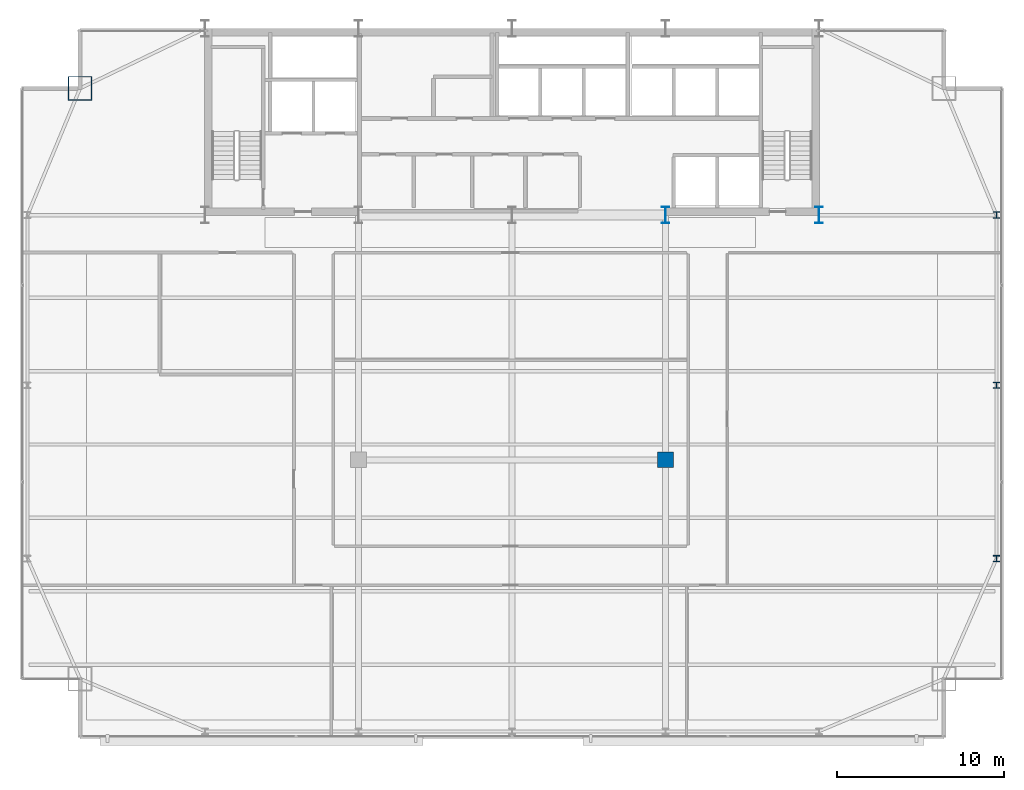
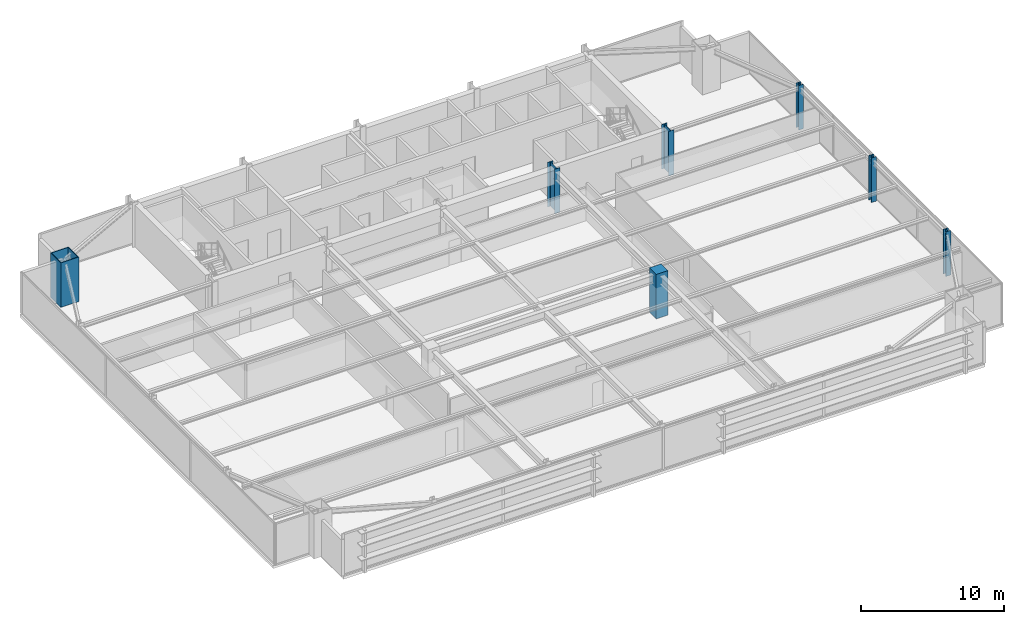
# One storey, part 2 of 30: 7 columns.
"""IFC4 building model written with IfcOpenShell, lengths in metres."""

import ifcopenshell
import ifcopenshell.guid

model = None  # the IFC model being written
_history = None  # IfcOwnerHistory: only IFC2X3 demands one
_inside = {}  # id of a spatial element -> (the spatial element, [elements in it])
_under = {}  # id of a project, library or spatial element -> (it, [spatial elements below it])
_declared = {}  # id of a project -> (the project, [libraries it declares])
_typed = {}  # id of a type object -> (the type object, [elements of that type])
_made_of = {}  # id of a material, layer set ... -> (it, [elements and type objects made of it])


def new_model(schema):
    """Start an empty IFC model of exactly this schema.

    Asked for "IFC4X3", IfcOpenShell would pick the latest addendum, in which some entities
    have other attributes; the version numbers below select the first issue.
    IFC2X3 requires an IfcOwnerHistory on every rooted entity: one is made here for all.
    """
    global model, _history
    if schema == "IFC4X3":
        model = ifcopenshell.file(schema_version=(4, 3, 0, 0))
    else:
        model = ifcopenshell.file(schema=schema)
    _inside.clear()
    _under.clear()
    _declared.clear()
    _typed.clear()
    _made_of.clear()
    _history = None
    if model.schema == "IFC2X3":
        org = make("IfcOrganization", Name="unknown")
        user = make(
            "IfcPersonAndOrganization",
            ThePerson=make("IfcPerson", FamilyName="unknown"),
            TheOrganization=org,
        )
        app = make(
            "IfcApplication",
            ApplicationDeveloper=org,
            Version="unknown",
            ApplicationFullName="unknown",
            ApplicationIdentifier="unknown",
        )
        _history = make(
            "IfcOwnerHistory",
            OwningUser=user,
            OwningApplication=app,
            ChangeAction="ADDED",
            CreationDate=0,
        )
    return model


def make(cls, **values):
    """One entity of the class cls with the attributes given. An attribute that is None is left unset."""
    return model.create_entity(
        cls, **{name: value for name, value in values.items() if value is not None}
    )


def rooted(cls, **values):
    """An entity with a GlobalId (a new one), such as an element, a storey or a relation."""
    return make(cls, GlobalId=ifcopenshell.guid.new(), OwnerHistory=_history, **values)


def si_unit(unit_type, name, prefix=None):
    """IfcSIUnit, for example si_unit("LENGTHUNIT", "METRE", prefix="MILLI")."""
    return make("IfcSIUnit", UnitType=unit_type, Prefix=prefix, Name=name)


def assignment(units):
    """IfcUnitAssignment: the units of a project."""
    return None if units is None else make("IfcUnitAssignment", Units=units)


def point(xyz):
    """IfcCartesianPoint."""
    return None if xyz is None else make("IfcCartesianPoint", Coordinates=xyz)


def direction(xyz):
    """IfcDirection."""
    return None if xyz is None else make("IfcDirection", DirectionRatios=xyz)


def frame(location, z_axis=None, x_axis=None):
    """IfcAxis2Placement3D, a coordinate frame: its origin and axes. An axis left out is left unset."""
    return make(
        "IfcAxis2Placement3D",
        Location=point(location),
        Axis=direction(z_axis),
        RefDirection=direction(x_axis),
    )


def frame_2d(location, x_axis=None):
    """IfcAxis2Placement2D, a coordinate frame in the plane: its origin and x axis."""
    return make(
        "IfcAxis2Placement2D", Location=point(location), RefDirection=direction(x_axis)
    )


def origin():
    """The frame at (0, 0, 0) with its axes left unset."""
    return frame((0.0, 0.0, 0.0))


def origin_2d():
    """The frame at (0, 0) in the plane with its x axis left unset."""
    return frame_2d((0.0, 0.0))


def place(relative_to, where):
    """IfcLocalPlacement: puts the frame where relative to a parent placement (None: the world)."""
    return make(
        "IfcLocalPlacement", PlacementRelTo=relative_to, RelativePlacement=where
    )


def context(
    kind, dimensions, precision=None, world=None, true_north=None, identifier=None
):
    """IfcGeometricRepresentationContext, for example the 3D "Model" context."""
    return make(
        "IfcGeometricRepresentationContext",
        ContextIdentifier=identifier,
        ContextType=kind,
        CoordinateSpaceDimension=dimensions,
        Precision=precision,
        WorldCoordinateSystem=world,
        TrueNorth=true_north,
    )


def subcontext(parent, identifier, kind, view, scale=None):
    """IfcGeometricRepresentationSubContext, for example "Body" below "Model"."""
    return make(
        "IfcGeometricRepresentationSubContext",
        ContextIdentifier=identifier,
        ContextType=kind,
        ParentContext=parent,
        TargetScale=scale,
        TargetView=view,
    )


def project(units=None, contexts=None):
    """IfcProject with its units and contexts."""
    return rooted(
        "IfcProject",
        Name="project",
        RepresentationContexts=contexts,
        UnitsInContext=assignment(units),
    )


def spatial(cls, under=None, at=None, **own):
    """A site, building, storey or space (cls), placed at a placement, below another one or the project."""
    s = rooted(cls, ObjectPlacement=at, **own)
    if under is not None:
        _under.setdefault(under.id(), (under, []))[1].append(s)
    return s


def profile(cls, at=None, kind="AREA", **sizes):
    """A parametric profile (cls). Its sizes go by their IFC names, for example OverallWidth=200.0."""
    return make(cls, ProfileType=kind, Position=at, **sizes)


def rectangle(**sizes):
    """IfcRectangleProfileDef."""
    return profile("IfcRectangleProfileDef", **sizes)


def hollow_rectangle(**sizes):
    """IfcRectangleHollowProfileDef."""
    return profile("IfcRectangleHollowProfileDef", **sizes)


def i_section(**sizes):
    """IfcIShapeProfileDef."""
    return profile("IfcIShapeProfileDef", **sizes)


def extrude(swept, where, along, depth):
    """IfcExtrudedAreaSolid: the profile swept, set in the frame where, extruded along a direction by depth."""
    return make(
        "IfcExtrudedAreaSolid",
        SweptArea=swept,
        Position=where,
        ExtrudedDirection=direction(along),
        Depth=depth,
    )


def shape(context_of_items, identifier, shape_type, items):
    """IfcShapeRepresentation: the items that make up one representation, for example the "Body"."""
    return make(
        "IfcShapeRepresentation",
        ContextOfItems=context_of_items,
        RepresentationIdentifier=identifier,
        RepresentationType=shape_type,
        Items=items,
    )


def source(mapping_origin, context_of_items, identifier, shape_type, items):
    """IfcRepresentationMap: a shape defined once, which mapped items show again and again."""
    return make(
        "IfcRepresentationMap",
        MappingOrigin=mapping_origin,
        MappedRepresentation=shape(context_of_items, identifier, shape_type, items),
    )


def transform(
    local_origin,
    x_axis=None,
    y_axis=None,
    z_axis=None,
    scale=None,
    scale2=None,
    scale3=None,
    uniform=True,
):
    """IfcCartesianTransformationOperator3D, or its non-uniform kind. x_axis, y_axis, z_axis: its Axis1, 2, 3."""
    if uniform:
        return make(
            "IfcCartesianTransformationOperator3D",
            Axis1=direction(x_axis),
            Axis2=direction(y_axis),
            LocalOrigin=point(local_origin),
            Scale=scale,
            Axis3=direction(z_axis),
        )
    return make(
        "IfcCartesianTransformationOperator3DnonUniform",
        Axis1=direction(x_axis),
        Axis2=direction(y_axis),
        LocalOrigin=point(local_origin),
        Scale=scale,
        Axis3=direction(z_axis),
        Scale2=scale2,
        Scale3=scale3,
    )


def mapped(mapping_source, mapping_target):
    """IfcMappedItem: shows the shape of a source again, moved by a transform."""
    return make(
        "IfcMappedItem", MappingSource=mapping_source, MappingTarget=mapping_target
    )


def material(Name=None, Category=None):
    """IfcMaterial."""
    return make("IfcMaterial", Name=Name, Category=Category)


def material_profile(
    of_material, cross_section, Name=None, Category=None, Priority=None
):
    """IfcMaterialProfile: a cross section and its material."""
    return make(
        "IfcMaterialProfile",
        Name=Name,
        Material=of_material,
        Profile=cross_section,
        Priority=Priority,
        Category=Category,
    )


def profile_set(profiles, Name=None, composite=None):
    """IfcMaterialProfileSet."""
    return make(
        "IfcMaterialProfileSet",
        Name=Name,
        MaterialProfiles=profiles,
        CompositeProfile=composite,
    )


def made_of(thing, what):
    """Note that an element or type object is made of a material, layer set ...; save() writes the relation."""
    if what is not None:
        _made_of.setdefault(what.id(), (what, []))[1].append(thing)
    return thing


def type_object(cls, material=None, **own):
    """A type object (cls), such as IfcWallType, which elements share."""
    return made_of(rooted(cls, **own), material)


def type_shapes(of_type, sources):
    """Give a type object the sources (RepresentationMaps) that its elements show as mapped items."""
    of_type.RepresentationMaps = sources


def element(
    cls,
    number,
    at=None,
    inside=None,
    cuts=None,
    type_object=None,
    material=None,
    context=None,
    identifier="Body",
    shape_type=None,
    held_by="IfcProductDefinitionShape",
    body=None,
    shapes=None,
    **own,
):
    """One element of the class cls, such as IfcWall. Its Tag is "e" and its number.

    at: its placement. inside: the storey or other place that contains it. cuts: it is an
    opening in that element (IfcRelVoidsElement). A single representation is given by context,
    identifier, shape_type and body (its items); several are given by shapes. held_by: the class
    of the entity that holds the representations. save() writes the other relations.
    """
    e = rooted(cls, Tag="e%d" % number, ObjectPlacement=at, **own)
    if body is not None:
        shapes = [shape(context, identifier, shape_type, body)]
    if shapes is not None:
        e.Representation = make(held_by, Representations=shapes)
    if inside is not None:
        _inside.setdefault(inside.id(), (inside, []))[1].append(e)
    if cuts is not None:
        rooted(
            "IfcRelVoidsElement", RelatingBuildingElement=cuts, RelatedOpeningElement=e
        )
    if type_object is not None:
        _typed.setdefault(type_object.id(), (type_object, []))[1].append(e)
    return made_of(e, material)


def aggregate(whole, parts):
    """IfcRelAggregates: a whole, such as a stair, and the parts it consists of."""
    return rooted("IfcRelAggregates", RelatingObject=whole, RelatedObjects=parts)


def save(model, path):
    """Write the relations noted so far, then the file.

    IfcRelAggregates (storeys below a building ...), IfcRelContainedInSpatialStructure (elements
    in a storey), IfcRelDefinesByType, IfcRelAssociatesMaterial and IfcRelDeclares: one each for
    every whole, place, type object, material and project.
    """
    for whole, parts in _under.values():
        aggregate(whole, parts)
    for where, things in _inside.values():
        rooted(
            "IfcRelContainedInSpatialStructure",
            RelatedElements=things,
            RelatingStructure=where,
        )
    for kind, things in _typed.values():
        rooted("IfcRelDefinesByType", RelatedObjects=things, RelatingType=kind)
    for what, things in _made_of.values():
        rooted("IfcRelAssociatesMaterial", RelatedObjects=things, RelatingMaterial=what)
    for by, libraries in _declared.values():
        rooted("IfcRelDeclares", RelatingContext=by, RelatedDefinitions=libraries)
    model.write(path)


model = new_model("IFC4")

# Units and contexts
model_context = context("Model", 3, precision=1e-05, world=origin(), true_north=direction((0.0, 1.0)))
body_context = subcontext(model_context, "Body", "Model", "MODEL_VIEW")
ifc_project = project(units=[si_unit("LENGTHUNIT", "METRE"), si_unit("AREAUNIT", "SQUARE_METRE"), si_unit("VOLUMEUNIT", "CUBIC_METRE"), si_unit("PLANEANGLEUNIT", "RADIAN"), si_unit("MASSUNIT", "GRAM", prefix="KILO")], contexts=[model_context])

# Site, building, storey
site_placement = place(None, origin())
site = spatial("IfcSite", under=ifc_project, at=site_placement, CompositionType="ELEMENT")
building_placement = place(site_placement, origin())
building = spatial("IfcBuilding", under=site, at=building_placement, Name="Varnel Quay Broadcast Tower", CompositionType="ELEMENT")
storey_placement = place(building_placement, frame((0.0, 0.0, 122.0)))
storey = spatial("IfcBuildingStorey", under=building, at=storey_placement, Name="L29", CompositionType="ELEMENT", Elevation=122.0)

# Columns
ifc_material_1 = material(Name="Structural Steel CSA G40.21 350WT", Category="steel")
ifc_material_profile_1 = material_profile(ifc_material_1, i_section(OverallWidth=0.449951171875, OverallDepth=1.0, WebThickness=0.01611328125, FlangeThickness=0.030029296875, FilletRadius=0.01611328125, at=origin_2d()), Name="WWF1000X362")
ifc_profile_set_1 = profile_set([ifc_material_profile_1], Name="Structural Steel CSA G40.21 350WT")
column_type_1 = type_object("IfcColumnType", Name="Col_WWF1000X362", PredefinedType="COLUMN", material=ifc_profile_set_1)
shared_shape_1 = source(origin(), body_context, "Body", "SweptSolid", [
    extrude(i_section(OverallWidth=0.449951171875, OverallDepth=1.0, WebThickness=0.01611328125, FlangeThickness=0.030029296875, FilletRadius=0.01611328125, at=origin_2d()), origin(), (0.0, 0.0, 1.0), 3.800048828125),
])
type_shapes(column_type_1, [shared_shape_1])
for number, where, z_axis, x_axis, name in (
    (1, (43.199951171875, 35.60009765625, 0.0), (0.0, 0.0, 1.0), (1.0, 0.0, 0.0), "L29 Column CC-S4"),
    (2, (52.39990234375, 35.60009765625, 0.0), (0.0, 0.0, 1.0), (1.0, 0.0, 0.0), "L29 Column CC-S5"),
):
    element("IfcColumn", number, at=place(storey_placement, frame(where, z_axis=z_axis, x_axis=x_axis)), inside=storey, type_object=column_type_1, Name=name, PredefinedType="COLUMN", context=body_context, shape_type="MappedRepresentation", body=[
        mapped(shared_shape_1, transform((0.0, 0.0, 0.0), x_axis=(1.0, 0.0, 0.0), y_axis=(0.0, 1.0, 0.0), z_axis=(0.0, 0.0, 1.0), scale=1.0)),
    ])
ifc_material_profile_2 = material_profile(ifc_material_1, hollow_rectangle(XDim=1.449951171875, YDim=1.449951171875, WallThickness=0.054931640625, at=origin_2d()), Name="BOX1450X1450X55")
ifc_profile_set_2 = profile_set([ifc_material_profile_2], Name="Structural Steel CSA G40.21 350WT")
column_type_2 = type_object("IfcColumnType", Name="Col_BOX1450X1450X55", PredefinedType="COLUMN", material=ifc_profile_set_2)
shared_shape_2 = source(origin(), body_context, "Body", "SweptSolid", [
    extrude(hollow_rectangle(XDim=1.449951171875, YDim=1.449951171875, WallThickness=0.054931640625, at=origin_2d()), origin(), (0.0, 0.0, 1.0), 3.800048828125),
])
type_shapes(column_type_2, [shared_shape_2])
column_1_placement = place(storey_placement, frame((8.10009765625, 43.199951171875, 0.0), z_axis=(0.0, 0.0, 1.0), x_axis=(1.0, 0.0, 0.0)))
element("IfcColumn", 3, at=column_1_placement, inside=storey, type_object=column_type_2, Name="L29 Column MC-NW", PredefinedType="COLUMN", context=body_context, shape_type="MappedRepresentation", body=[
    mapped(shared_shape_2, transform((0.0, 0.0, 0.0), x_axis=(1.0, 0.0, 0.0), y_axis=(0.0, 1.0, 0.0), z_axis=(0.0, 0.0, 1.0), scale=1.0)),
])
ifc_material_2 = material(Name="Structural Steel CSA G40.21 350W", Category="steel")
ifc_material_profile_3 = material_profile(ifc_material_2, i_section(OverallWidth=0.39794921875, OverallDepth=0.386962890625, WebThickness=0.02099609375, FlangeThickness=0.033203125, FilletRadius=0.01806640625, at=origin_2d()), Name="W360X262")
ifc_profile_set_3 = profile_set([ifc_material_profile_3], Name="Structural Steel CSA G40.21 350W")
column_type_3 = type_object("IfcColumnType", Name="Col_W360X262", PredefinedType="COLUMN", material=ifc_profile_set_3)
shared_shape_3 = source(origin(), body_context, "Body", "SweptSolid", [
    extrude(i_section(OverallWidth=0.39794921875, OverallDepth=0.386962890625, WebThickness=0.02099609375, FlangeThickness=0.033203125, FilletRadius=0.01806640625, at=origin_2d()), origin(), (0.0, 0.0, 1.0), 3.800048828125),
])
type_shapes(column_type_3, [shared_shape_3])
for number, where, z_axis, x_axis, name in (
    (4, (63.050048828125, 15.0, 0.0), (0.0, 0.0, 1.0), (1.0, 0.0, 0.0), "L29 Column TC-E1"),
    (5, (63.050048828125, 25.39990234375, 0.0), (0.0, 0.0, 1.0), (1.0, 0.0, 0.0), "L29 Column TC-E2"),
    (6, (63.050048828125, 35.60009765625, 0.0), (0.0, 0.0, 1.0), (1.0, 0.0, 0.0), "L29 Column TC-E3"),
):
    element("IfcColumn", number, at=place(storey_placement, frame(where, z_axis=z_axis, x_axis=x_axis)), inside=storey, type_object=column_type_3, Name=name, PredefinedType="COLUMN", context=body_context, shape_type="MappedRepresentation", body=[
        mapped(shared_shape_3, transform((0.0, 0.0, 0.0), x_axis=(1.0, 0.0, 0.0), y_axis=(0.0, 1.0, 0.0), z_axis=(0.0, 0.0, 1.0), scale=1.0)),
    ])
ifc_material_3 = material(Name="Concrete CSA A23.3 C50/60", Category="concrete")
ifc_material_profile_4 = material_profile(ifc_material_3, rectangle(XDim=0.949951171875, YDim=0.949951171875, at=origin_2d()), Name="RC950X950")
ifc_profile_set_4 = profile_set([ifc_material_profile_4], Name="Concrete CSA A23.3 C50/60")
column_type_4 = type_object("IfcColumnType", Name="Col_RC950X950", PredefinedType="COLUMN", material=ifc_profile_set_4)
shared_shape_4 = source(origin(), body_context, "Body", "SweptSolid", [
    extrude(rectangle(XDim=0.949951171875, YDim=0.949951171875, at=origin_2d()), origin(), (0.0, 0.0, 1.0), 3.800048828125),
])
type_shapes(column_type_4, [shared_shape_4])
column_2_placement = place(storey_placement, frame((43.199951171875, 20.929931640625, 0.0), z_axis=(0.0, 0.0, 1.0), x_axis=(1.0, 0.0, 0.0)))
element("IfcColumn", 7, at=column_2_placement, inside=storey, type_object=column_type_4, Name="L29 Column IC-02", PredefinedType="COLUMN", context=body_context, shape_type="MappedRepresentation", body=[
    mapped(shared_shape_4, transform((0.0, 0.0, 0.0), x_axis=(1.0, 0.0, 0.0), y_axis=(0.0, 1.0, 0.0), z_axis=(0.0, 0.0, 1.0), scale=1.0)),
])

save(model, "model.ifc")
